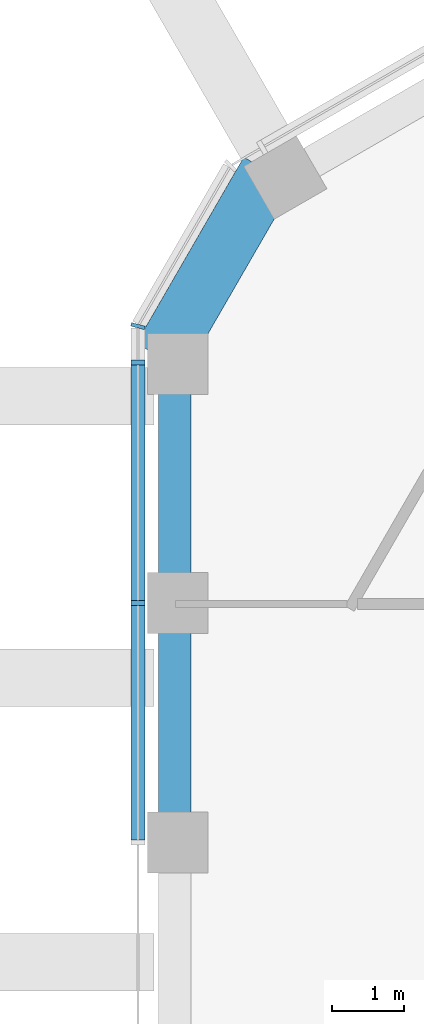
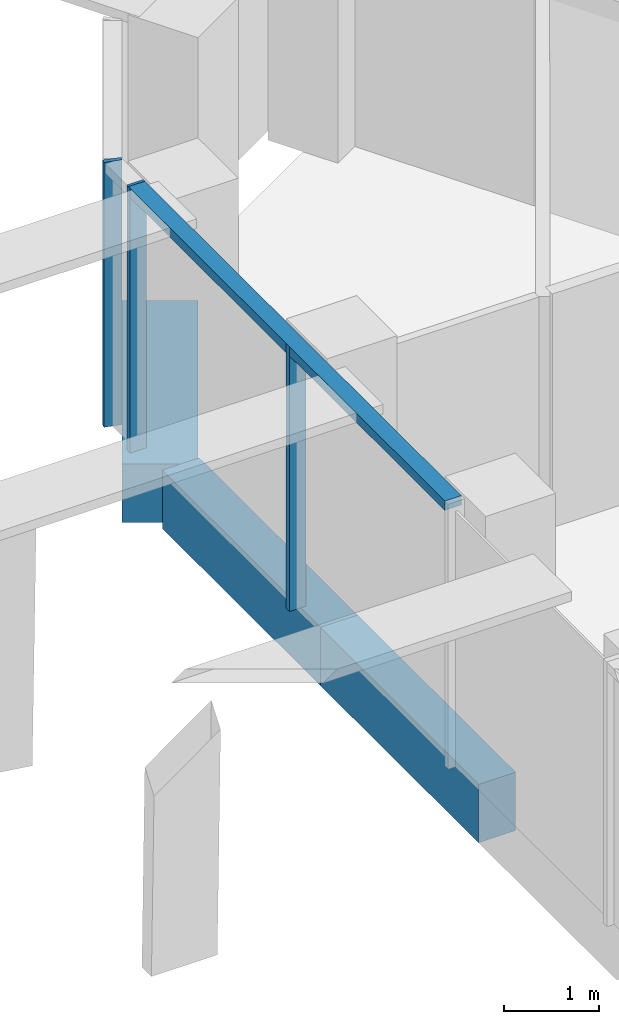
# One storey, part 3 of 17: 4 members, 3 beams, 2 elements without a shape of their own.
"""IFC4 building model written with IfcOpenShell, lengths in metres."""

from ifc_helpers import new_model, si_unit, direction, frame, origin, origin_2d, place, context, subcontext, project, spatial, rectangle, extrude, material, layer, layer_set, material_profile, profile_set, type_object, element, aggregate, save


model = new_model("IFC4")

# Units and contexts
model_context = context("Model", 3, precision=1e-05, world=origin(), true_north=direction((0.0, 1.0)))
body_context = subcontext(model_context, "Body", "Model", "MODEL_VIEW")
ifc_project = project(units=[si_unit("LENGTHUNIT", "METRE"), si_unit("AREAUNIT", "SQUARE_METRE"), si_unit("VOLUMEUNIT", "CUBIC_METRE"), si_unit("PLANEANGLEUNIT", "RADIAN"), si_unit("MASSUNIT", "GRAM", prefix="KILO")], contexts=[model_context])

# Site, building, storey
site_placement = place(None, origin())
site = spatial("IfcSite", under=ifc_project, at=site_placement, CompositionType="ELEMENT")
building_placement = place(site_placement, origin())
building = spatial("IfcBuilding", under=site, at=building_placement, Name="Ayvan Gate Tower", CompositionType="ELEMENT")
storey_placement = place(building_placement, frame((0.0, 0.0, 249.5)))
storey = spatial("IfcBuildingStorey", under=building, at=storey_placement, Name="L67", CompositionType="ELEMENT", Elevation=249.5)

# Beams
ifc_material_1 = material(Name="Concrete C40/50", Category="concrete")
ifc_material_profile_1 = material_profile(ifc_material_1, rectangle(XDim=0.800048828125, YDim=0.75, at=origin_2d()), Name="RC 800x750")
ifc_profile_set_1 = profile_set([ifc_material_profile_1], Name="Concrete C40/50")
beam_type_1 = type_object("IfcBeamType", Name="Corner spandrel beam RC 800x750 C40/50", PredefinedType="BEAM", material=ifc_profile_set_1)
beam_placement = place(storey_placement, frame((-15.056640625, 11.027099609375, -0.72509765625), z_axis=(-0.499990139034, -0.866031096941, 0.0), x_axis=(0.866031096941, -0.499990139034, 0.0)))
element("IfcBeam", 1, at=beam_placement, inside=storey, type_object=beam_type_1, Name="SB-L67-18", PredefinedType="BEAM", context=body_context, shape_type="SweptSolid", body=[
    extrude(rectangle(XDim=0.800048828125, YDim=0.75, at=origin_2d()), origin(), (0.0, 0.0, 1.0), 3.0),
])
ifc_material_profile_2 = material_profile(ifc_material_1, rectangle(XDim=0.449951171875, YDim=0.75, at=origin_2d()), Name="RC 450x750")
ifc_profile_set_2 = profile_set([ifc_material_profile_2], Name="Concrete C40/50")
beam_type_2 = type_object("IfcBeamType", Name="Spandrel beam RC 450x750 C40/50", PredefinedType="BEAM", material=ifc_profile_set_2)
for number, where, z_axis, x_axis, name in (
    (2, (-16.365966796875, 8.319091796875, -0.72509765625), (0.0, -1.0, 0.0), (1.0, 0.0, 0.0), "SB-L67-19"),
    (3, (-16.365966796875, 4.991455078125, -0.72509765625), (0.0, -1.0, 0.0), (1.0, 0.0, 0.0), "SB-L67-20"),
):
    element("IfcBeam", number, at=place(storey_placement, frame(where, z_axis=z_axis, x_axis=x_axis)), inside=storey, type_object=beam_type_2, Name=name, PredefinedType="BEAM", context=body_context, shape_type="SweptSolid", body=[
        extrude(rectangle(XDim=0.449951171875, YDim=0.75, at=origin_2d()), origin(), (0.0, 0.0, 1.0), 3.32763671875),
    ])

# Curtain wall, members
ifc_material_2 = material(Name="Bronze anodised aluminium", Category="aluminium")
ifc_layer_1 = layer(ifc_material_2, 0.199951171875)
ifc_layer_set_1 = layer_set([ifc_layer_1], Name="Bronze anodised aluminium")
curtain_wall_type_1 = type_object("IfcCurtainWallType", Name="Stick curtain wall CW-2", PredefinedType="NOTDEFINED", material=ifc_layer_set_1)
curtain_wall_1_placement = place(storey_placement, origin())
curtain_wall_1 = element("IfcCurtainWall", 4, at=curtain_wall_1_placement, inside=storey, type_object=curtain_wall_type_1, Name="Stick curtain wall CW-2 L67", PredefinedType="NOTDEFINED")
ifc_material_profile_3 = material_profile(ifc_material_2, rectangle(XDim=0.199951171875, YDim=0.070068359375, at=origin_2d()), Name="Stick curtain wall CW-2 mullion 200 x 70")
ifc_profile_set_3 = profile_set([ifc_material_profile_3], Name="Bronze anodised aluminium")
member_type_1 = type_object("IfcMemberType", Name="Stick curtain wall CW-2 mullion 200 x 70", PredefinedType="MULLION", material=ifc_profile_set_3)
member_1_placement = place(storey_placement, frame((-16.87841796875, 8.3603515625, 0.0), z_axis=(0.0, 0.0, 1.0), x_axis=(-1.0, 0.0, 0.0)))
member_1 = element("IfcMember", 5, at=member_1_placement, type_object=member_type_1, Name="CW-2 mullion 1", PredefinedType="MULLION", context=body_context, shape_type="SweptSolid", body=[
    extrude(rectangle(XDim=0.199951171875, YDim=0.070068359375, at=origin_2d()), origin(), (0.0, 0.0, 1.0), 3.39990234375),
])
member_2_placement = place(storey_placement, frame((-16.87841796875, 5.00634765625, 0.0), z_axis=(0.0, 0.0, 1.0), x_axis=(-1.0, 0.0, 0.0)))
member_2 = element("IfcMember", 6, at=member_2_placement, type_object=member_type_1, Name="CW-2 mullion 2", PredefinedType="MULLION", context=body_context, shape_type="SweptSolid", body=[
    extrude(rectangle(XDim=0.199951171875, YDim=0.070068359375, at=origin_2d()), origin(), (0.0, 0.0, 1.0), 3.39990234375),
])
ifc_material_profile_4 = material_profile(ifc_material_2, rectangle(XDim=0.199951171875, YDim=0.1201171875, at=origin_2d()), Name="Stick curtain wall CW-2 transom 200 x 120")
ifc_profile_set_4 = profile_set([ifc_material_profile_4], Name="Bronze anodised aluminium")
member_type_2 = type_object("IfcMemberType", Name="Stick curtain wall CW-2 transom 200 x 120", PredefinedType="USERDEFINED", material=ifc_profile_set_4)
member_3_placement = place(storey_placement, frame((-16.87841796875, 8.3603515625, 3.340087890625), z_axis=(0.0, -1.0, 0.0), x_axis=(1.0, 0.0, 0.0)))
member_3 = element("IfcMember", 7, at=member_3_placement, type_object=member_type_2, Name="CW-2 transom 1", ObjectType="TRANSOM", PredefinedType="USERDEFINED", context=body_context, shape_type="SweptSolid", body=[
    extrude(rectangle(XDim=0.199951171875, YDim=0.1201171875, at=origin_2d()), origin(), (0.0, 0.0, 1.0), 6.656982421875),
])
aggregate(curtain_wall_1, [member_1, member_2, member_3])

# Curtain wall, member
ifc_layer_2 = layer(ifc_material_2, 0.199951171875)
ifc_layer_set_2 = layer_set([ifc_layer_2], Name="Bronze anodised aluminium")
curtain_wall_type_2 = type_object("IfcCurtainWallType", Name="Stick curtain wall CW-6", PredefinedType="NOTDEFINED", material=ifc_layer_set_2)
curtain_wall_2_placement = place(storey_placement, origin())
curtain_wall_2 = element("IfcCurtainWall", 8, at=curtain_wall_2_placement, inside=storey, type_object=curtain_wall_type_2, Name="Stick curtain wall CW-6 L67", PredefinedType="NOTDEFINED")
ifc_material_profile_5 = material_profile(ifc_material_2, rectangle(XDim=0.199951171875, YDim=0.050048828125, at=origin_2d()), Name="Stick curtain wall CW-6 mullion 200 x 50")
ifc_profile_set_5 = profile_set([ifc_material_profile_5], Name="Bronze anodised aluminium")
member_type_3 = type_object("IfcMemberType", Name="Stick curtain wall CW-6 mullion 200 x 50", PredefinedType="MULLION", material=ifc_profile_set_5)
member_4_placement = place(storey_placement, frame((-16.87841796875, 8.870361328125, 0.0), z_axis=(0.0, 0.0, 1.0), x_axis=(-0.965925826289, 0.258819045103, 0.0)))
member_4 = element("IfcMember", 9, at=member_4_placement, type_object=member_type_3, Name="CW-6 mullion 3", PredefinedType="MULLION", context=body_context, shape_type="SweptSolid", body=[
    extrude(rectangle(XDim=0.199951171875, YDim=0.050048828125, at=origin_2d()), origin(), (0.0, 0.0, 1.0), 3.39990234375),
])
aggregate(curtain_wall_2, [member_4])

save(model, "model.ifc")
